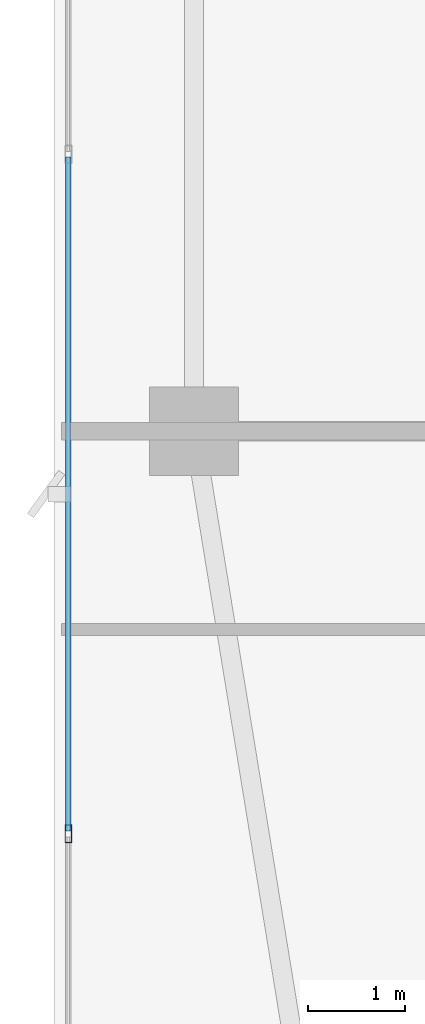
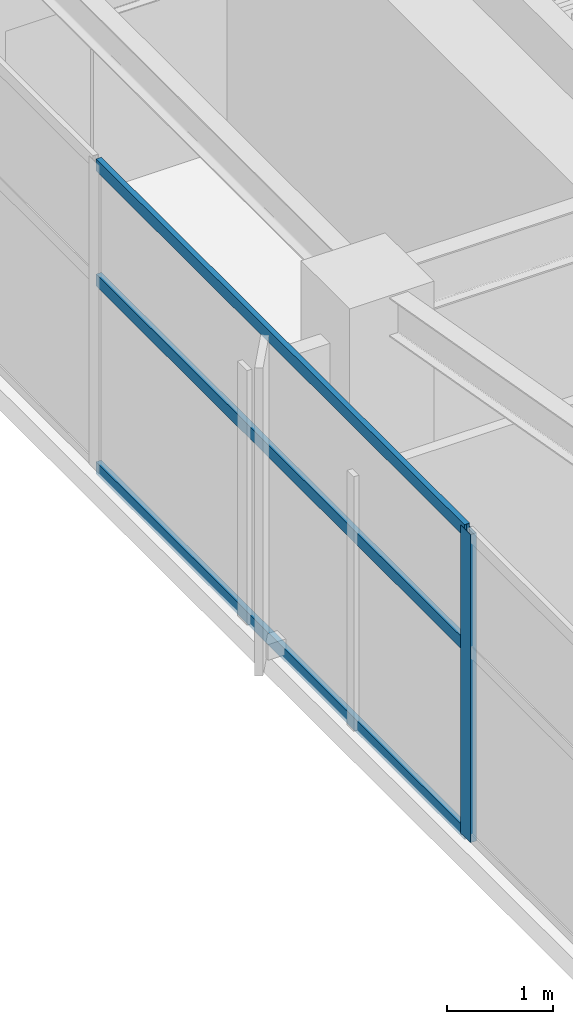
# One storey, part 4 of 30: 4 members, 1 element without a shape of its own.
"""IFC4 building model written with IfcOpenShell, lengths in metres."""

from ifc_helpers import new_model, si_unit, direction, frame, origin, origin_2d, place, context, subcontext, project, spatial, hollow_rectangle, extrude, material, layer, layer_set, material_profile, profile_set, type_object, element, aggregate, save


model = new_model("IFC4")

# Units and contexts
model_context = context("Model", 3, precision=1e-05, world=origin(), true_north=direction((0.0, 1.0)))
body_context = subcontext(model_context, "Body", "Model", "MODEL_VIEW")
ifc_project = project(units=[si_unit("LENGTHUNIT", "METRE"), si_unit("AREAUNIT", "SQUARE_METRE"), si_unit("VOLUMEUNIT", "CUBIC_METRE"), si_unit("PLANEANGLEUNIT", "RADIAN"), si_unit("MASSUNIT", "GRAM", prefix="KILO")], contexts=[model_context])

# Site, building, storey
site_placement = place(None, origin())
site = spatial("IfcSite", under=ifc_project, at=site_placement, CompositionType="ELEMENT")
building_placement = place(site_placement, origin())
building = spatial("IfcBuilding", under=site, at=building_placement, Name="Calvorn Quay Hotel", CompositionType="ELEMENT")
storey_placement = place(building_placement, frame((0.0, 0.0, 203.39990234375)))
storey = spatial("IfcBuildingStorey", under=building, at=storey_placement, Name="L50", CompositionType="ELEMENT", Elevation=203.39990234375)

# Curtain wall, members
ifc_material_1 = material(Name="Champagne Bronze Anodised Aluminium and Low-E Glass", Category="aluminium")
ifc_layer = layer(ifc_material_1, 0.219970703125)
ifc_layer_set = layer_set([ifc_layer], Name="CW-SYS-Z3")
curtain_wall_type = type_object("IfcCurtainWallType", Name="CW-SYS-Z3", PredefinedType="NOTDEFINED", material=ifc_layer_set)
curtain_wall_placement = place(storey_placement, origin())
curtain_wall = element("IfcCurtainWall", 1, at=curtain_wall_placement, inside=storey, type_object=curtain_wall_type, Name="Tower West Curtain Wall (L50)", PredefinedType="NOTDEFINED")
ifc_material_2 = material(Name="Champagne Bronze Anodised Aluminium 6063-T6", Category="aluminium")
ifc_material_profile_1 = material_profile(ifc_material_2, hollow_rectangle(XDim=0.068115234375, YDim=0.18505859375, WallThickness=0.00390625, at=origin_2d()), Name="ALU-M185x68x4")
ifc_profile_set_1 = profile_set([ifc_material_profile_1], Name="Champagne Bronze Anodised Aluminium 6063-T6")
member_type_1 = type_object("IfcMemberType", Name="CW-SYS-Z3-MUL", PredefinedType="MULLION", material=ifc_profile_set_1)
member_1_placement = place(storey_placement, frame((0.14990234375, 12.63330078125, 0.0), z_axis=(0.0, 0.0, 1.0), x_axis=(-1.0, 0.0, 0.0)))
member_1 = element("IfcMember", 2, at=member_1_placement, type_object=member_type_1, Name="CW-L50-W mullion 2", PredefinedType="MULLION", context=body_context, shape_type="SweptSolid", body=[
    extrude(hollow_rectangle(XDim=0.068115234375, YDim=0.18505859375, WallThickness=0.00390625, at=origin_2d()), origin(), (0.0, 0.0, 1.0), 3.56005859375),
])
ifc_material_3 = material(Name="Champagne Bronze Anodised Aluminium 6063-T6", Category="aluminium")
ifc_material_profile_2 = material_profile(ifc_material_3, hollow_rectangle(XDim=0.05810546875, YDim=0.139892578125, WallThickness=0.003173828125, at=origin_2d()), Name="ALU-T140x58x3.2")
ifc_profile_set_2 = profile_set([ifc_material_profile_2], Name="Champagne Bronze Anodised Aluminium 6063-T6")
member_type_2 = type_object("IfcMemberType", Name="CW-SYS-Z3-TRN", PredefinedType="USERDEFINED", material=ifc_profile_set_2)
member_2_placement = place(storey_placement, frame((0.14990234375, 12.663330078125, 0.030029296875), z_axis=(0.0, 1.0, 0.0), x_axis=(-1.0, 0.0, 0.0)))
member_2 = element("IfcMember", 3, at=member_2_placement, type_object=member_type_2, Name="CW-L50-W transom 2.1", ObjectType="TRANSOM", PredefinedType="USERDEFINED", context=body_context, shape_type="SweptSolid", body=[
    extrude(hollow_rectangle(XDim=0.05810546875, YDim=0.139892578125, WallThickness=0.003173828125, at=origin_2d()), origin(), (0.0, 0.0, 1.0), 6.973388671875),
])
member_3_placement = place(storey_placement, frame((0.14990234375, 12.663330078125, 2.2001953125), z_axis=(0.0, 1.0, 0.0), x_axis=(-1.0, 0.0, 0.0)))
member_3 = element("IfcMember", 4, at=member_3_placement, type_object=member_type_2, Name="CW-L50-W transom 2.2", ObjectType="TRANSOM", PredefinedType="USERDEFINED", context=body_context, shape_type="SweptSolid", body=[
    extrude(hollow_rectangle(XDim=0.05810546875, YDim=0.139892578125, WallThickness=0.003173828125, at=origin_2d()), origin(), (0.0, 0.0, 1.0), 6.973388671875),
])
member_4_placement = place(storey_placement, frame((0.14990234375, 12.663330078125, 3.530029296875), z_axis=(0.0, 1.0, 0.0), x_axis=(-1.0, 0.0, 0.0)))
member_4 = element("IfcMember", 5, at=member_4_placement, type_object=member_type_2, Name="CW-L50-W transom 2.3", ObjectType="TRANSOM", PredefinedType="USERDEFINED", context=body_context, shape_type="SweptSolid", body=[
    extrude(hollow_rectangle(XDim=0.05810546875, YDim=0.139892578125, WallThickness=0.003173828125, at=origin_2d()), origin(), (0.0, 0.0, 1.0), 6.973388671875),
])
aggregate(curtain_wall, [member_1, member_2, member_3, member_4])

save(model, "model.ifc")
